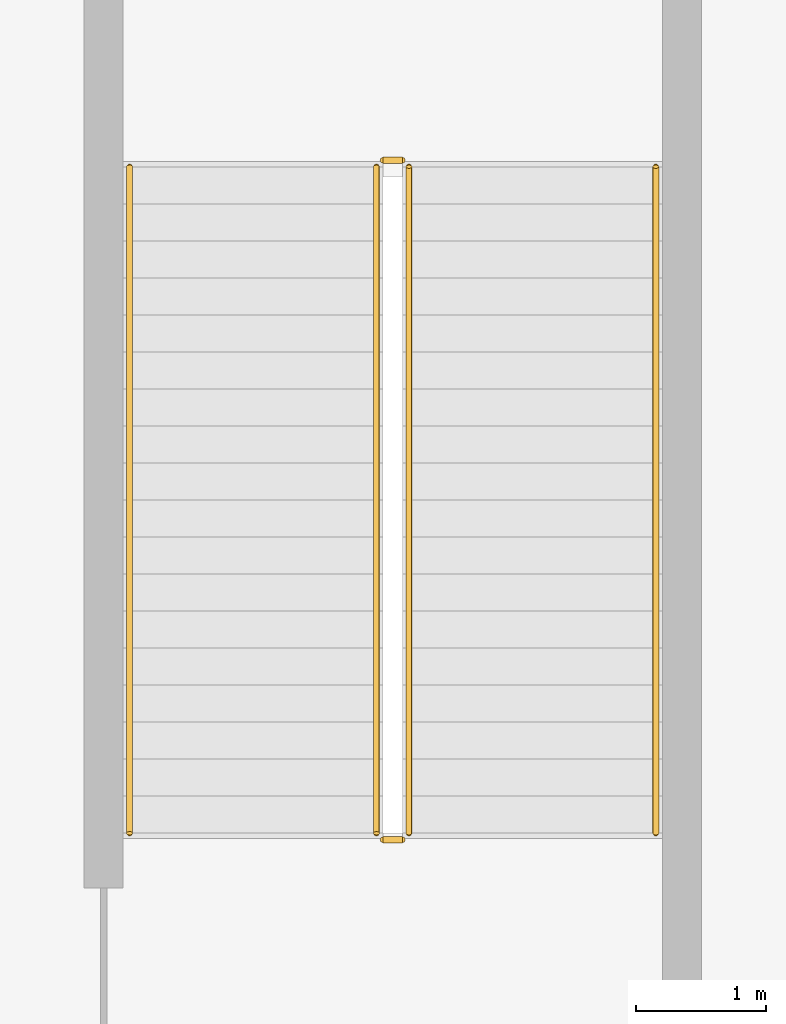
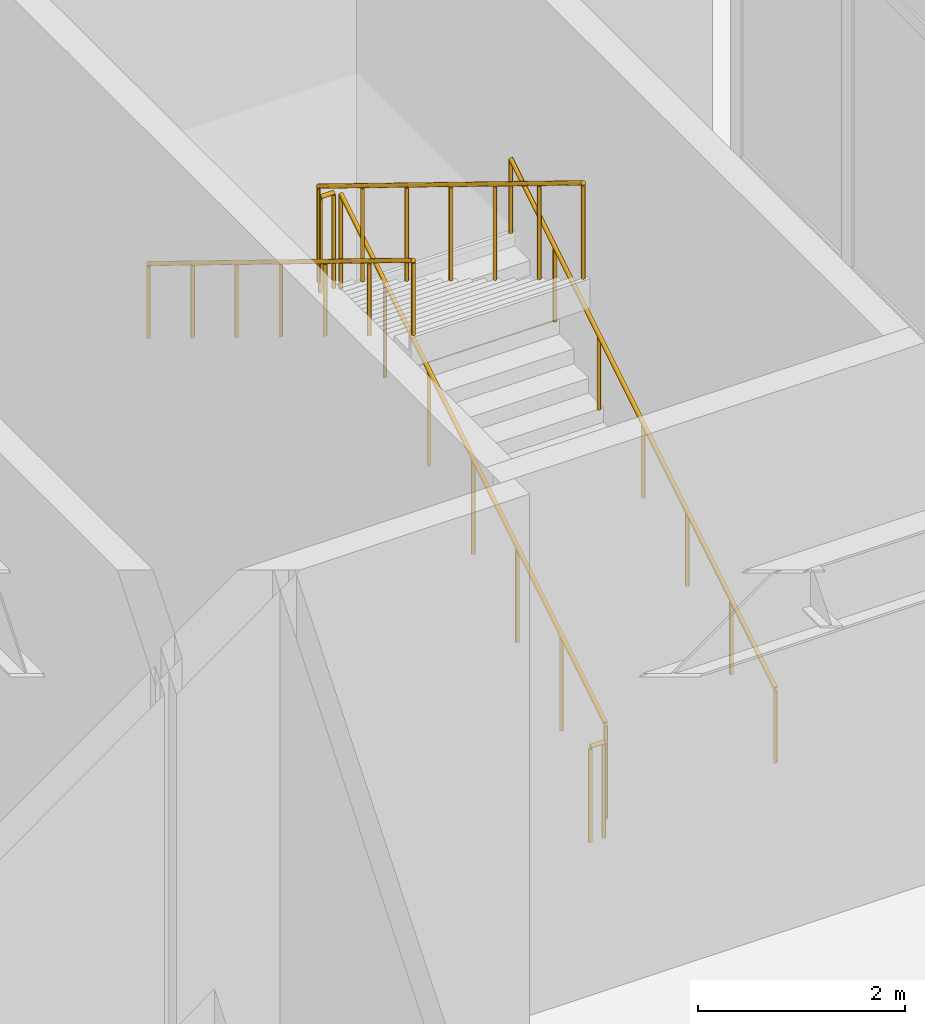
# One storey, part 16 of 17: 6 railings.
"""IFC4 building model written with IfcOpenShell, lengths in metres."""

from ifc_helpers import new_model, si_unit, direction, frame, origin, origin_2d, place, context, subcontext, project, spatial, circle, extrude, material, type_object, element, save


model = new_model("IFC4")

# Units and contexts
model_context = context("Model", 3, precision=1e-05, world=origin(), true_north=direction((0.0, 1.0)))
body_context = subcontext(model_context, "Body", "Model", "MODEL_VIEW")
ifc_project = project(units=[si_unit("LENGTHUNIT", "METRE"), si_unit("AREAUNIT", "SQUARE_METRE"), si_unit("VOLUMEUNIT", "CUBIC_METRE"), si_unit("PLANEANGLEUNIT", "RADIAN"), si_unit("MASSUNIT", "GRAM", prefix="KILO")], contexts=[model_context])

# Site, building, storey
site_placement = place(None, origin())
site = spatial("IfcSite", under=ifc_project, at=site_placement, CompositionType="ELEMENT")
building_placement = place(site_placement, origin())
building = spatial("IfcBuilding", under=site, at=building_placement, Name="Nhamokura Convention Tower", CompositionType="ELEMENT")
storey_placement = place(building_placement, origin())
storey = spatial("IfcBuildingStorey", under=building, at=storey_placement, Name="L00", CompositionType="ELEMENT", Elevation=0.0)

# Railings
ifc_material_1 = material(Name="Anodised bronze stainless steel", Category="steel")
railing_type_1 = type_object("IfcRailingType", Name="StairWallHandrail_900", PredefinedType="HANDRAIL", material=ifc_material_1)
railing_1_placement = place(storey_placement, frame((52.75, 48.25, 0.175048828125)))
element("IfcRailing", 1, at=railing_1_placement, inside=storey, type_object=railing_type_1, Name="L00 ST-05 stair handrail 1", PredefinedType="HANDRAIL", context=body_context, shape_type="SweptSolid", body=[
    extrude(circle(Radius=0.02392578125, at=origin_2d()), frame((0.0, 0.0, 0.8759765625), z_axis=(0.0, 0.852173129349, 0.523259933127), x_axis=(-1.0, 0.0, 0.0)), (0.0, 0.0, 1.0), 6.019775390625),
    extrude(circle(Radius=0.02099609375, at=origin_2d()), origin(), (0.0, 0.0, 1.0), 0.851806640625),
    extrude(circle(Radius=0.02099609375, at=origin_2d()), frame((0.0, 0.85498046875, 0.52490234375)), (0.0, 0.0, 1.0), 0.851806640625),
    extrude(circle(Radius=0.02099609375, at=origin_2d()), frame((0.0, 1.7099609375, 1.050048828125)), (0.0, 0.0, 1.0), 0.851806640625),
    extrude(circle(Radius=0.02099609375, at=origin_2d()), frame((0.0, 2.56494140625, 1.574951171875)), (0.0, 0.0, 1.0), 0.851806640625),
    extrude(circle(Radius=0.02099609375, at=origin_2d()), frame((0.0, 3.419921875, 2.099853515625)), (0.0, 0.0, 1.0), 0.851806640625),
    extrude(circle(Radius=0.02099609375, at=origin_2d()), frame((0.0, 4.27490234375, 2.625)), (0.0, 0.0, 1.0), 0.851806640625),
    extrude(circle(Radius=0.02099609375, at=origin_2d()), frame((0.0, 5.1298828125, 3.14990234375)), (0.0, 0.0, 1.0), 0.851806640625),
])
railing_2_placement = place(storey_placement, frame((48.699951171875, 53.3798828125, 3.5)))
element("IfcRailing", 2, at=railing_2_placement, inside=storey, type_object=railing_type_1, Name="L00 ST-05 stair handrail 2", PredefinedType="HANDRAIL", context=body_context, shape_type="SweptSolid", body=[
    extrude(circle(Radius=0.02392578125, at=origin_2d()), frame((0.0, 0.0, 0.8759765625), z_axis=(0.0, -0.852173129349, 0.523259933127), x_axis=(1.0, 0.0, 0.0)), (0.0, 0.0, 1.0), 6.019775390625),
    extrude(circle(Radius=0.02099609375, at=origin_2d()), origin(), (0.0, 0.0, 1.0), 0.851806640625),
    extrude(circle(Radius=0.02099609375, at=origin_2d()), frame((0.0, -0.85498046875, 0.52490234375)), (0.0, 0.0, 1.0), 0.851806640625),
    extrude(circle(Radius=0.02099609375, at=origin_2d()), frame((0.0, -1.7099609375, 1.050048828125)), (0.0, 0.0, 1.0), 0.851806640625),
    extrude(circle(Radius=0.02099609375, at=origin_2d()), frame((0.0, -2.56494140625, 1.574951171875)), (0.0, 0.0, 1.0), 0.851806640625),
    extrude(circle(Radius=0.02099609375, at=origin_2d()), frame((0.0, -3.419921875, 2.099853515625)), (0.0, 0.0, 1.0), 0.851806640625),
    extrude(circle(Radius=0.02099609375, at=origin_2d()), frame((0.0, -4.27490234375, 2.625)), (0.0, 0.0, 1.0), 0.851806640625),
    extrude(circle(Radius=0.02099609375, at=origin_2d()), frame((0.0, -5.1298828125, 3.14990234375)), (0.0, 0.0, 1.0), 0.851806640625),
])
ifc_material_2 = material(Name="Painted tubular steel", Category="steel")
railing_type_2 = type_object("IfcRailingType", Name="StairWellGuardrail_1150", PredefinedType="GUARDRAIL", material=ifc_material_2)
railing_3_placement = place(storey_placement, frame((50.85009765625, 48.25, 0.175048828125)))
element("IfcRailing", 3, at=railing_3_placement, inside=storey, type_object=railing_type_2, Name="L00 ST-05 stair guard 1", PredefinedType="GUARDRAIL", context=body_context, shape_type="SweptSolid", body=[
    extrude(circle(Radius=0.02392578125, at=origin_2d()), frame((0.0, 0.0, 1.1259765625), z_axis=(0.0, 0.852173129349, 0.523259933127), x_axis=(-1.0, 0.0, 0.0)), (0.0, 0.0, 1.0), 6.019775390625),
    extrude(circle(Radius=0.02099609375, at=origin_2d()), origin(), (0.0, 0.0, 1.0), 1.101806640625),
    extrude(circle(Radius=0.02099609375, at=origin_2d()), frame((0.0, 0.85498046875, 0.52490234375)), (0.0, 0.0, 1.0), 1.101806640625),
    extrude(circle(Radius=0.02099609375, at=origin_2d()), frame((0.0, 1.7099609375, 1.050048828125)), (0.0, 0.0, 1.0), 1.101806640625),
    extrude(circle(Radius=0.02099609375, at=origin_2d()), frame((0.0, 2.56494140625, 1.574951171875)), (0.0, 0.0, 1.0), 1.101806640625),
    extrude(circle(Radius=0.02099609375, at=origin_2d()), frame((0.0, 3.419921875, 2.099853515625)), (0.0, 0.0, 1.0), 1.101806640625),
    extrude(circle(Radius=0.02099609375, at=origin_2d()), frame((0.0, 4.27490234375, 2.625)), (0.0, 0.0, 1.0), 1.101806640625),
    extrude(circle(Radius=0.02099609375, at=origin_2d()), frame((0.0, 5.1298828125, 3.14990234375)), (0.0, 0.0, 1.0), 1.101806640625),
])
railing_4_placement = place(storey_placement, frame((50.800048828125, 53.429931640625, 3.324951171875)))
element("IfcRailing", 4, at=railing_4_placement, inside=storey, type_object=railing_type_2, Name="L00 ST-05 stair guard 2", PredefinedType="GUARDRAIL", context=body_context, shape_type="SweptSolid", body=[
    extrude(circle(Radius=0.02392578125, at=origin_2d()), frame((0.0, 0.0, 1.1259765625), z_axis=(-1.0, 0.0, 0.0), x_axis=(0.0, -1.0, 0.0)), (0.0, 0.0, 1.0), 0.150146484375),
    extrude(circle(Radius=0.02099609375, at=origin_2d()), origin(), (0.0, 0.0, 1.0), 1.101806640625),
    extrude(circle(Radius=0.02099609375, at=origin_2d()), frame((-0.150146484375, 0.0, 0.0)), (0.0, 0.0, 1.0), 1.101806640625),
])
railing_5_placement = place(storey_placement, frame((50.60009765625, 53.3798828125, 3.5)))
element("IfcRailing", 5, at=railing_5_placement, inside=storey, type_object=railing_type_2, Name="L00 ST-05 stair guard 3", PredefinedType="GUARDRAIL", context=body_context, shape_type="SweptSolid", body=[
    extrude(circle(Radius=0.02392578125, at=origin_2d()), frame((0.0, 0.0, 1.1259765625), z_axis=(0.0, -0.852173129349, 0.523259933127), x_axis=(1.0, 0.0, 0.0)), (0.0, 0.0, 1.0), 6.019775390625),
    extrude(circle(Radius=0.02099609375, at=origin_2d()), origin(), (0.0, 0.0, 1.0), 1.101806640625),
    extrude(circle(Radius=0.02099609375, at=origin_2d()), frame((0.0, -0.85498046875, 0.52490234375)), (0.0, 0.0, 1.0), 1.101806640625),
    extrude(circle(Radius=0.02099609375, at=origin_2d()), frame((0.0, -1.7099609375, 1.050048828125)), (0.0, 0.0, 1.0), 1.101806640625),
    extrude(circle(Radius=0.02099609375, at=origin_2d()), frame((0.0, -2.56494140625, 1.574951171875)), (0.0, 0.0, 1.0), 1.101806640625),
    extrude(circle(Radius=0.02099609375, at=origin_2d()), frame((0.0, -3.419921875, 2.099853515625)), (0.0, 0.0, 1.0), 1.101806640625),
    extrude(circle(Radius=0.02099609375, at=origin_2d()), frame((0.0, -4.27490234375, 2.625)), (0.0, 0.0, 1.0), 1.101806640625),
    extrude(circle(Radius=0.02099609375, at=origin_2d()), frame((0.0, -5.1298828125, 3.14990234375)), (0.0, 0.0, 1.0), 1.101806640625),
])
railing_6_placement = place(storey_placement, frame((50.800048828125, 48.199951171875, 0.0)))
element("IfcRailing", 6, at=railing_6_placement, inside=storey, type_object=railing_type_2, Name="L00 ST-05 stair guard 4", PredefinedType="GUARDRAIL", context=body_context, shape_type="SweptSolid", body=[
    extrude(circle(Radius=0.02392578125, at=origin_2d()), frame((0.0, 0.0, 1.1259765625), z_axis=(-1.0, 0.0, 0.0), x_axis=(0.0, -1.0, 0.0)), (0.0, 0.0, 1.0), 0.150146484375),
    extrude(circle(Radius=0.02099609375, at=origin_2d()), origin(), (0.0, 0.0, 1.0), 1.101806640625),
    extrude(circle(Radius=0.02099609375, at=origin_2d()), frame((-0.150146484375, 0.0, 0.0)), (0.0, 0.0, 1.0), 1.101806640625),
])

save(model, "model.ifc")
